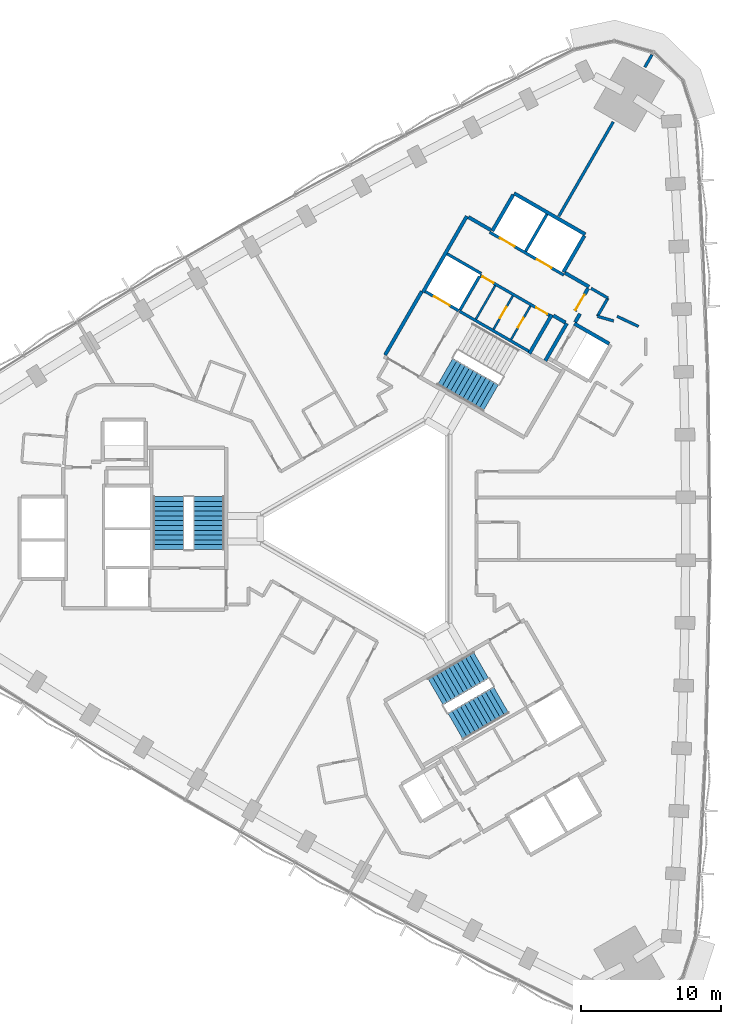
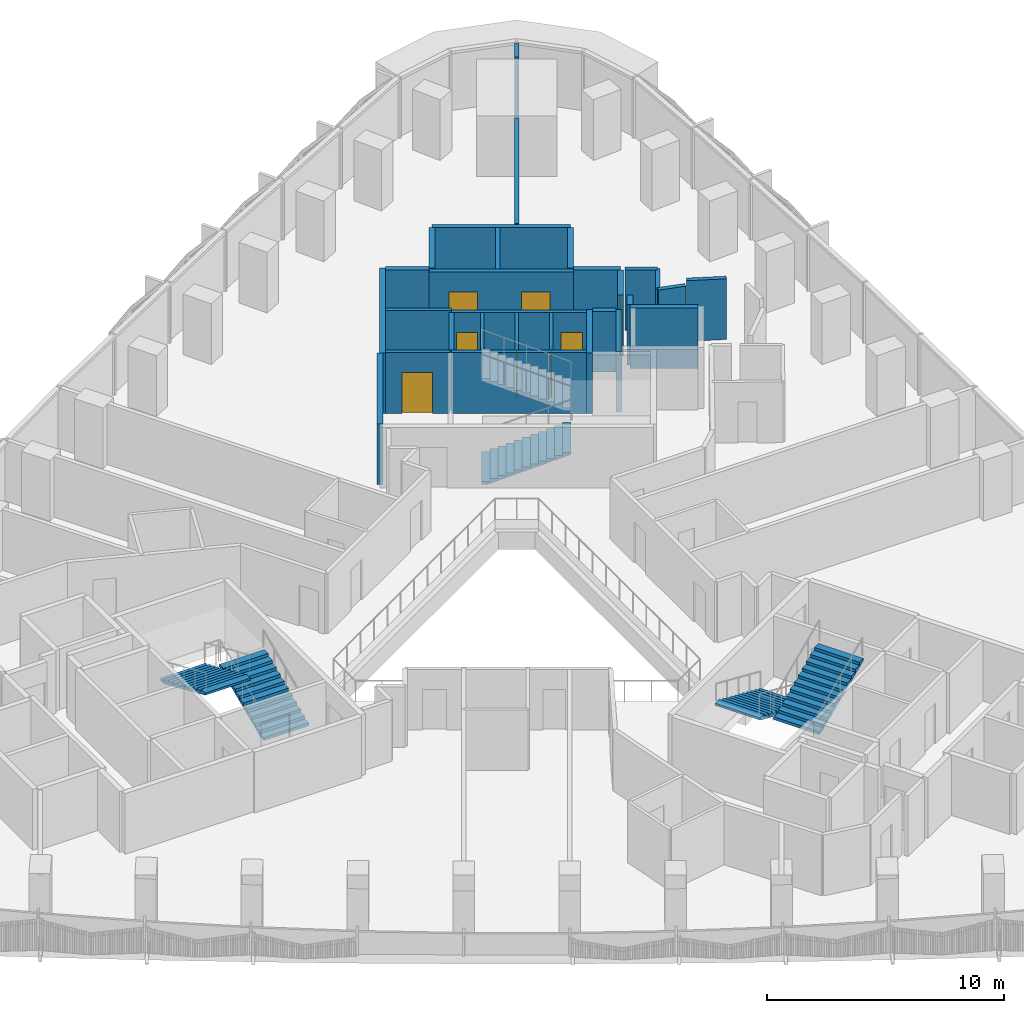
# One storey, part 11 of 15: 29 walls, 8 doors, 5 stair flights, 8 openings, 3 elements without a shape of their own.
"""IFC4 building model written with IfcOpenShell, lengths in metres."""

from ifc_helpers import new_model, si_unit, direction, frame, frame_2d, origin, place, context, subcontext, project, spatial, polyline, rectangle, outline, extrude, material, layer, layer_set, type_object, element, fill, aggregate, save


model = new_model("IFC4")

# Units and contexts
model_context = context("Model", 3, precision=1e-05, world=origin(), true_north=direction((0.0, 1.0)))
body_context = subcontext(model_context, "Body", "Model", "MODEL_VIEW")
ifc_project = project(units=[si_unit("LENGTHUNIT", "METRE"), si_unit("AREAUNIT", "SQUARE_METRE"), si_unit("VOLUMEUNIT", "CUBIC_METRE"), si_unit("PLANEANGLEUNIT", "RADIAN"), si_unit("MASSUNIT", "GRAM", prefix="KILO")], contexts=[model_context])

# Site, building, storey
site_placement = place(None, origin())
site = spatial("IfcSite", under=ifc_project, at=site_placement, CompositionType="ELEMENT")
building_placement = place(site_placement, origin())
building = spatial("IfcBuilding", under=site, at=building_placement, Name="Tamra Quay Hotel Tower", CompositionType="ELEMENT")
storey_placement = place(building_placement, frame((0.0, 0.0, 42.199951171875)))
storey = spatial("IfcBuildingStorey", under=building, at=storey_placement, Name="L08", CompositionType="ELEMENT", Elevation=42.199951171875)

# Wall, openings, doors
ifc_material_1 = material(Name="Concrete M70", Category="concrete")
ifc_layer_1 = layer(ifc_material_1, 0.199951171875)
ifc_layer_set_1 = layer_set([ifc_layer_1], Name="Concrete M70 core wall 200")
wall_type_1 = type_object("IfcWallType", Name="Concrete M70 core wall 200", PredefinedType="SHEAR", material=ifc_layer_set_1)
wall_1_placement = place(storey_placement, frame((13.209716796875, 18.07958984375, 0.0), z_axis=(0.0, 0.0, 1.0), x_axis=(-0.866030299012, 0.499991521122, 0.0)))
wall_1 = element("IfcWall", 1, at=wall_1_placement, inside=storey, type_object=wall_type_1, Name="CW2", PredefinedType="SHEAR", context=body_context, shape_type="SweptSolid", body=[
    extrude(rectangle(XDim=6.10009765625, YDim=0.199951171875, at=frame_2d((3.050048828125, 0.0))), origin(), (0.0, 0.0, 1.0), 3.125),
])
opening_1_placement = place(wall_1_placement, frame((1.0, 0.0, 0.0)))
opening_1 = element("IfcOpeningElement", 2, at=opening_1_placement, cuts=wall_1, Name="Opening LD", PredefinedType="OPENING", context=body_context, shape_type="SweptSolid", body=[
    extrude(rectangle(XDim=1.199951171875, YDim=2.10009765625, at=frame_2d((0.60009765625, 1.050048828125))), frame((0.0, 0.10986328125, 0.0), z_axis=(0.0, -1.0, 0.0), x_axis=(1.0, 0.0, 0.0)), (0.0, 0.0, 1.0), 0.219970703125),
])
opening_2_placement = place(wall_1_placement, frame((4.05029296875, 0.0, 0.0)))
opening_2 = element("IfcOpeningElement", 3, at=opening_2_placement, cuts=wall_1, Name="Opening LD", PredefinedType="OPENING", context=body_context, shape_type="SweptSolid", body=[
    extrude(rectangle(XDim=1.199951171875, YDim=2.10009765625, at=frame_2d((0.60009765625, 1.050048828125))), frame((0.0, 0.10986328125, 0.0), z_axis=(0.0, -1.0, 0.0), x_axis=(1.0, 0.0, 0.0)), (0.0, 0.0, 1.0), 0.219970703125),
])
ifc_material_2 = material(Name="Landing door LD 1200 double door sliding")
door_type_1 = type_object("IfcDoorType", Name="Landing door LD 1200 double door sliding", OperationType="DOUBLE_DOOR_SLIDING", PredefinedType="DOOR", material=ifc_material_2)
door_1_placement = place(opening_1_placement, origin())
door_1 = element("IfcDoor", 4, at=door_1_placement, inside=storey, type_object=door_type_1, Name="LD", OperationType="DOUBLE_DOOR_SLIDING", OverallHeight=2.10009765625, OverallWidth=1.199951171875, PredefinedType="DOOR", context=body_context, shape_type="SweptSolid", body=[
    extrude(rectangle(XDim=1.199951171875, YDim=2.10009765625, at=frame_2d((0.60009765625, 1.050048828125))), frame((0.0, 0.02490234375, 0.0), z_axis=(0.0, -1.0, 0.0), x_axis=(1.0, 0.0, 0.0)), (0.0, 0.0, 1.0), 0.050048828125),
])
fill(opening_1, door_1)
door_2_placement = place(opening_2_placement, origin())
door_2 = element("IfcDoor", 5, at=door_2_placement, inside=storey, type_object=door_type_1, Name="LD", OperationType="DOUBLE_DOOR_SLIDING", OverallHeight=2.10009765625, OverallWidth=1.199951171875, PredefinedType="DOOR", context=body_context, shape_type="SweptSolid", body=[
    extrude(rectangle(XDim=1.199951171875, YDim=2.10009765625, at=frame_2d((0.60009765625, 1.050048828125))), frame((0.0, 0.02490234375, 0.0), z_axis=(0.0, -1.0, 0.0), x_axis=(1.0, 0.0, 0.0)), (0.0, 0.0, 1.0), 0.050048828125),
])
fill(opening_2, door_2)

# Wall
wall_2_placement = place(storey_placement, frame((5.774658203125, 15.501953125, 0.0), z_axis=(0.0, 0.0, 1.0), x_axis=(0.866020080793, -0.500009219579, 0.0)))
element("IfcWall", 6, at=wall_2_placement, inside=storey, type_object=wall_type_1, Name="CW2", PredefinedType="SHEAR", context=body_context, shape_type="SweptSolid", body=[
    extrude(rectangle(XDim=5.69921875, YDim=0.199951171875, at=frame_2d((2.849609375, 0.0))), origin(), (0.0, 0.0, 1.0), 3.125),
])

# Wall, openings, doors
wall_3_placement = place(storey_placement, frame((12.18505859375, 15.20703125, 0.0), z_axis=(0.0, 0.0, 1.0), x_axis=(-0.866020080793, 0.500009219579, 0.0)))
wall_3 = element("IfcWall", 7, at=wall_3_placement, inside=storey, type_object=wall_type_1, Name="CW2", PredefinedType="SHEAR", context=body_context, shape_type="SweptSolid", body=[
    extrude(rectangle(XDim=5.69921875, YDim=0.199951171875, at=frame_2d((2.849609375, 0.0))), origin(), (0.0, 0.0, 1.0), 3.125),
])
opening_3_placement = place(wall_3_placement, frame((0.174072265625, 0.0, 0.0)))
opening_3 = element("IfcOpeningElement", 8, at=opening_3_placement, cuts=wall_3, Name="Opening D2", PredefinedType="OPENING", context=body_context, shape_type="SweptSolid", body=[
    extrude(rectangle(XDim=0.89990234375, YDim=2.10009765625, at=frame_2d((0.449951171875, 1.050048828125))), frame((0.0, 0.10986328125, 0.0), z_axis=(0.0, -1.0, 0.0), x_axis=(1.0, 0.0, 0.0)), (0.0, 0.0, 1.0), 0.219970703125),
])
opening_4_placement = place(wall_3_placement, frame((4.59912109375, 0.0, 0.0)))
opening_4 = element("IfcOpeningElement", 9, at=opening_4_placement, cuts=wall_3, Name="Opening D2", PredefinedType="OPENING", context=body_context, shape_type="SweptSolid", body=[
    extrude(rectangle(XDim=0.89990234375, YDim=2.10009765625, at=frame_2d((0.449951171875, 1.050048828125))), frame((0.0, 0.10986328125, 0.0), z_axis=(0.0, -1.0, 0.0), x_axis=(1.0, 0.0, 0.0)), (0.0, 0.0, 1.0), 0.219970703125),
])
ifc_material_3 = material(Name="Core door D2 900x2100 LH")
door_type_2 = type_object("IfcDoorType", Name="Core door D2 900x2100 LH", OperationType="NOTDEFINED", PredefinedType="DOOR", material=ifc_material_3)
door_3_placement = place(opening_4_placement, origin())
door_3 = element("IfcDoor", 10, at=door_3_placement, inside=storey, type_object=door_type_2, Name="D2", OperationType="SINGLE_SWING_LEFT", OverallHeight=2.10009765625, OverallWidth=0.89990234375, PredefinedType="DOOR", context=body_context, shape_type="SweptSolid", body=[
    extrude(rectangle(XDim=0.89990234375, YDim=2.10009765625, at=frame_2d((0.449951171875, 1.050048828125))), frame((0.0, 0.02490234375, 0.0), z_axis=(0.0, -1.0, 0.0), x_axis=(1.0, 0.0, 0.0)), (0.0, 0.0, 1.0), 0.050048828125),
])
fill(opening_4, door_3)
ifc_material_4 = material(Name="Core door D2 900x2100 RH")
door_type_3 = type_object("IfcDoorType", Name="Core door D2 900x2100 RH", OperationType="NOTDEFINED", PredefinedType="DOOR", material=ifc_material_4)
door_4_placement = place(opening_3_placement, origin())
door_4 = element("IfcDoor", 11, at=door_4_placement, inside=storey, type_object=door_type_3, Name="D2", OperationType="SINGLE_SWING_RIGHT", OverallHeight=2.10009765625, OverallWidth=0.89990234375, PredefinedType="DOOR", context=body_context, shape_type="SweptSolid", body=[
    extrude(rectangle(XDim=0.89990234375, YDim=2.10009765625, at=frame_2d((0.449951171875, 1.050048828125))), frame((0.0, 0.02490234375, 0.0), z_axis=(0.0, -1.0, 0.0), x_axis=(1.0, 0.0, 0.0)), (0.0, 0.0, 1.0), 0.050048828125),
])
fill(opening_3, door_4)

# Walls
wall_4_placement = place(storey_placement, frame((10.48876953125, 19.76708984375, 0.0), z_axis=(0.0, 0.0, 1.0), x_axis=(0.499946628782, 0.866056215479, 0.0)))
element("IfcWall", 12, at=wall_4_placement, inside=storey, type_object=wall_type_1, Name="CW2", PredefinedType="SHEAR", context=body_context, shape_type="SweptSolid", body=[
    extrude(rectangle(XDim=3.048095703125, YDim=0.199951171875, at=frame_2d((1.52392578125, 0.0))), origin(), (0.0, 0.0, 1.0), 3.125),
])
wall_5_placement = place(storey_placement, frame((7.199462890625, 17.969970703125, 0.0), z_axis=(0.0, 0.0, 1.0), x_axis=(-0.499968400327, -0.866043647095, 0.0)))
element("IfcWall", 13, at=wall_5_placement, inside=storey, type_object=wall_type_1, Name="CW2", PredefinedType="SHEAR", context=body_context, shape_type="SweptSolid", body=[
    extrude(rectangle(XDim=2.749755859375, YDim=0.199951171875, at=frame_2d((1.375, 0.0))), origin(), (0.0, 0.0, 1.0), 3.125),
])

# Wall, opening, door
wall_6_placement = place(storey_placement, frame((5.72509765625, 15.530517578125, 0.0), z_axis=(0.0, 0.0, 1.0), x_axis=(-0.866037306777, 0.499979382845, 0.0)))
wall_6 = element("IfcWall", 14, at=wall_6_placement, inside=storey, type_object=wall_type_1, Name="CW2", PredefinedType="SHEAR", context=body_context, shape_type="SweptSolid", body=[
    extrude(rectangle(XDim=2.74169921875, YDim=0.199951171875, at=frame_2d((1.370849609375, 0.0))), origin(), (0.0, 0.0, 1.0), 3.125),
])
opening_5_placement = place(wall_6_placement, frame((0.742919921875, 0.0, 0.0)))
opening_5 = element("IfcOpeningElement", 15, at=opening_5_placement, cuts=wall_6, Name="Opening LD", PredefinedType="OPENING", context=body_context, shape_type="SweptSolid", body=[
    extrude(rectangle(XDim=1.300048828125, YDim=2.10009765625, at=frame_2d((0.64990234375, 1.050048828125))), frame((0.0, 0.10986328125, 0.0), z_axis=(0.0, -1.0, 0.0), x_axis=(1.0, 0.0, 0.0)), (0.0, 0.0, 1.0), 0.219970703125),
])
ifc_material_5 = material(Name="Landing door LD 1300 sliding to left")
door_type_4 = type_object("IfcDoorType", Name="Landing door LD 1300 sliding to left", OperationType="NOTDEFINED", PredefinedType="DOOR", material=ifc_material_5)
door_5_placement = place(opening_5_placement, origin())
door_5 = element("IfcDoor", 16, at=door_5_placement, inside=storey, type_object=door_type_4, Name="LD", OperationType="SLIDING_TO_LEFT", OverallHeight=2.10009765625, OverallWidth=1.300048828125, PredefinedType="DOOR", context=body_context, shape_type="SweptSolid", body=[
    extrude(rectangle(XDim=1.300048828125, YDim=2.10009765625, at=frame_2d((0.64990234375, 1.050048828125))), frame((0.0, 0.02490234375, 0.0), z_axis=(0.0, -1.0, 0.0), x_axis=(1.0, 0.0, 0.0)), (0.0, 0.0, 1.0), 0.050048828125),
])
fill(opening_5, door_5)

# Walls
wall_7_placement = place(storey_placement, frame((4.900634765625, 19.5859375, 0.0), z_axis=(0.0, 0.0, 1.0), x_axis=(0.866022890907, -0.500004352405, 0.0)))
element("IfcWall", 17, at=wall_7_placement, inside=storey, type_object=wall_type_1, Name="CW2", PredefinedType="SHEAR", context=body_context, shape_type="SweptSolid", body=[
    extrude(rectangle(XDim=2.798828125, YDim=0.199951171875, at=frame_2d((1.3994140625, 0.0))), origin(), (0.0, 0.0, 1.0), 3.125),
])
ifc_layer_2 = layer(ifc_material_1, 0.25)
ifc_layer_set_2 = layer_set([ifc_layer_2], Name="Concrete M70 core wall 250")
wall_type_2 = type_object("IfcWallType", Name="Concrete M70 core wall 250", PredefinedType="SHEAR", material=ifc_layer_set_2)
wall_8_placement = place(storey_placement, frame((3.178955078125, 16.856201171875, 0.0), z_axis=(0.0, 0.0, 1.0), x_axis=(0.500004234368, 0.866022959057, 0.0)))
element("IfcWall", 18, at=wall_8_placement, inside=storey, type_object=wall_type_2, Name="CW1", PredefinedType="SHEAR", context=body_context, shape_type="SweptSolid", body=[
    extrude(rectangle(XDim=6.25, YDim=0.25, at=frame_2d((3.125, 0.0))), origin(), (0.0, 0.0, 1.0), 3.125),
])
wall_9_placement = place(storey_placement, frame((9.672607421875, 23.9033203125, 0.0), z_axis=(0.0, 0.0, 1.0), x_axis=(0.86603616409, -0.499981362141, 0.0)))
element("IfcWall", 19, at=wall_9_placement, inside=storey, type_object=wall_type_2, Name="CW1", PredefinedType="SHEAR", context=body_context, shape_type="SweptSolid", body=[
    extrude(rectangle(XDim=5.849853515625, YDim=0.25, at=frame_2d((2.9248046875, 0.0))), origin(), (0.0, 0.0, 1.0), 3.125),
])
wall_10_placement = place(storey_placement, frame((0.47998046875, 12.38134765625, 0.0), z_axis=(0.0, 0.0, 1.0), x_axis=(0.49999885962, 0.866026062182, 0.0)))
element("IfcWall", 20, at=wall_10_placement, inside=storey, type_object=wall_type_2, Name="CW1", PredefinedType="SHEAR", context=body_context, shape_type="SweptSolid", body=[
    extrude(rectangle(XDim=5.224609375, YDim=0.25, at=frame_2d((2.6123046875, 0.0))), origin(), (0.0, 0.0, 1.0), 3.125),
])
wall_11_placement = place(storey_placement, frame((12.356689453125, 15.25244140625, 0.0), z_axis=(0.0, 0.0, 1.0), x_axis=(-0.500028443584, -0.866008981251, 0.0)))
element("IfcWall", 21, at=wall_11_placement, inside=storey, type_object=wall_type_2, Name="CW1", PredefinedType="SHEAR", context=body_context, shape_type="SweptSolid", body=[
    extrude(rectangle(XDim=3.199951171875, YDim=0.25, at=frame_2d((1.60009765625, 0.0))), origin(), (0.0, 0.0, 1.0), 3.125),
])
for number, where, z_axis, x_axis, name in (
    (22, (8.12255859375, 21.21875, 0.0), (0.0, 0.0, 1.0), (0.499987686533, 0.866032512851, 0.0), "CW1"),
    (23, (14.67626953125, 20.869873046875, 0.0), (0.0, 0.0, 1.0), (-0.499987686533, -0.866032512851, 0.0), "CW1"),
):
    element("IfcWall", number, at=place(storey_placement, frame(where, z_axis=z_axis, x_axis=x_axis)), inside=storey, type_object=wall_type_2, Name=name, PredefinedType="SHEAR", context=body_context, shape_type="SweptSolid", body=[
        extrude(rectangle(XDim=2.974609375, YDim=0.25, at=frame_2d((1.4873046875, 0.0))), origin(), (0.0, 0.0, 1.0), 3.125),
    ])
wall_12_placement = place(storey_placement, frame((13.962646484375, 14.61376953125, 0.0), z_axis=(0.0, 0.0, 1.0), x_axis=(0.866042235819, -0.499970844928, 0.0)))
element("IfcWall", 24, at=wall_12_placement, inside=storey, type_object=wall_type_2, Name="CW1", PredefinedType="SHEAR", context=body_context, shape_type="SweptSolid", body=[
    extrude(rectangle(XDim=2.864501953125, YDim=0.25, at=frame_2d((1.43212890625, 0.0))), origin(), (0.0, 0.0, 1.0), 3.125),
])
wall_13_placement = place(storey_placement, frame((11.887939453125, 11.960693359375, 0.0), z_axis=(0.0, 0.0, 1.0), x_axis=(0.500003324108, 0.866023484601, 0.0)))
element("IfcWall", 25, at=wall_13_placement, inside=storey, type_object=wall_type_2, Name="CW1", PredefinedType="SHEAR", context=body_context, shape_type="SweptSolid", body=[
    extrude(rectangle(XDim=3.0849609375, YDim=0.25, at=frame_2d((1.54248046875, 0.0))), origin(), (0.0, 0.0, 1.0), 3.125),
])
wall_14_placement = place(storey_placement, frame((13.29736328125, 18.23095703125, 0.0), z_axis=(0.0, 0.0, 1.0), x_axis=(0.866043531843, -0.499968599967, 0.0)))
element("IfcWall", 26, at=wall_14_placement, inside=storey, type_object=wall_type_2, Name="CW1", PredefinedType="SHEAR", context=body_context, shape_type="SweptSolid", body=[
    extrude(rectangle(XDim=1.974853515625, YDim=0.25, at=frame_2d((0.9873046875, 0.0))), origin(), (0.0, 0.0, 1.0), 3.125),
])
wall_15_placement = place(storey_placement, frame((6.41259765625, 22.2060546875, 0.0), z_axis=(0.0, 0.0, 1.0), x_axis=(0.866016279763, -0.500015802937, 0.0)))
element("IfcWall", 27, at=wall_15_placement, inside=storey, type_object=wall_type_2, Name="CW1", PredefinedType="SHEAR", context=body_context, shape_type="SweptSolid", body=[
    extrude(rectangle(XDim=1.84912109375, YDim=0.25, at=frame_2d((0.924560546875, 0.0))), origin(), (0.0, 0.0, 1.0), 3.125),
])

# Wall, opening, door
wall_16_placement = place(storey_placement, frame((14.94482421875, 17.13525390625, 0.0), z_axis=(0.0, 0.0, 1.0), x_axis=(-0.499983108224, -0.866035156036, 0.0)))
wall_16 = element("IfcWall", 28, at=wall_16_placement, inside=storey, type_object=wall_type_2, Name="CW1", PredefinedType="SHEAR", context=body_context, shape_type="SweptSolid", body=[
    extrude(rectangle(XDim=1.86474609375, YDim=0.25, at=frame_2d((0.932373046875, 0.0))), origin(), (0.0, 0.0, 1.0), 3.125),
])
opening_6_placement = place(wall_16_placement, frame((0.53466796875, 0.0, 0.0)))
opening_6 = element("IfcOpeningElement", 29, at=opening_6_placement, cuts=wall_16, Name="Opening FD3", PredefinedType="OPENING", context=body_context, shape_type="SweptSolid", body=[
    extrude(rectangle(XDim=1.25, YDim=2.10009765625, at=frame_2d((0.625, 1.050048828125))), frame((0.0, 0.135009765625, 0.0), z_axis=(0.0, -1.0, 0.0), x_axis=(1.0, 0.0, 0.0)), (0.0, 0.0, 1.0), 0.27001953125),
])
ifc_material_6 = material(Name="Core door FD3 1250x2100 LH")
door_type_5 = type_object("IfcDoorType", Name="Core door FD3 1250x2100 LH", OperationType="NOTDEFINED", PredefinedType="DOOR", material=ifc_material_6)
door_6_placement = place(opening_6_placement, origin())
door_6 = element("IfcDoor", 30, at=door_6_placement, inside=storey, type_object=door_type_5, Name="FD3", OperationType="SINGLE_SWING_LEFT", OverallHeight=2.10009765625, OverallWidth=1.25, PredefinedType="DOOR", context=body_context, shape_type="SweptSolid", body=[
    extrude(rectangle(XDim=1.25, YDim=2.10009765625, at=frame_2d((0.625, 1.050048828125))), frame((0.0, 0.02490234375, 0.0), z_axis=(0.0, -1.0, 0.0), x_axis=(1.0, 0.0, 0.0)), (0.0, 0.0, 1.0), 0.050048828125),
])
fill(opening_6, door_6)

# Walls
wall_17_placement = place(storey_placement, frame((13.322021484375, 14.695068359375, 0.0), z_axis=(0.0, 0.0, 1.0), x_axis=(-0.866017078145, 0.500014420154, 0.0)))
element("IfcWall", 31, at=wall_17_placement, inside=storey, type_object=wall_type_2, Name="CW1", PredefinedType="SHEAR", context=body_context, shape_type="SweptSolid", body=[
    extrude(rectangle(XDim=0.9892578125, YDim=0.25, at=frame_2d((0.49462890625, 0.0))), origin(), (0.0, 0.0, 1.0), 3.125),
])
wall_18_placement = place(storey_placement, frame((14.36767578125, 15.3154296875, 0.0), z_axis=(0.0, 0.0, 1.0), x_axis=(-0.499897359611, -0.866084655132, 0.0)))
element("IfcWall", 32, at=wall_18_placement, inside=storey, type_object=wall_type_2, Name="CW1", PredefinedType="SHEAR", context=body_context, shape_type="SweptSolid", body=[
    extrude(rectangle(XDim=0.684814453125, YDim=0.25, at=frame_2d((0.34228515625, 0.0))), origin(), (0.0, 0.0, 1.0), 3.125),
])

# Wall, opening, door
ifc_material_7 = material(Name="Blockwork", Category="masonry")
ifc_layer_3 = layer(ifc_material_7, 0.14990234375)
ifc_layer_set_3 = layer_set([ifc_layer_3], Name="Core partition block 150")
wall_type_3 = type_object("IfcWallType", Name="Core partition block 150", PredefinedType="PARTITIONING", material=ifc_layer_set_3)
wall_19_placement = place(storey_placement, frame((9.462158203125, 13.4892578125, 0.0), z_axis=(0.0, 0.0, 1.0), x_axis=(0.50002746344, 0.86600954718, 0.0)))
wall_19 = element("IfcWall", 33, at=wall_19_placement, inside=storey, type_object=wall_type_3, Name="CP1", PredefinedType="PARTITIONING", context=body_context, shape_type="SweptSolid", body=[
    extrude(rectangle(XDim=2.748291015625, YDim=0.14990234375, at=frame_2d((1.3740234375, 0.0))), origin(), (0.0, 0.0, 1.0), 3.125),
])
opening_7_placement = place(wall_19_placement, frame((0.97412109375, 0.0, 0.0)))
opening_7 = element("IfcOpeningElement", 34, at=opening_7_placement, cuts=wall_19, Name="Opening D3", PredefinedType="OPENING", context=body_context, shape_type="SweptSolid", body=[
    extrude(rectangle(XDim=0.800048828125, YDim=2.10009765625, at=frame_2d((0.39990234375, 1.050048828125))), frame((0.0, 0.0849609375, 0.0), z_axis=(0.0, -1.0, 0.0), x_axis=(1.0, 0.0, 0.0)), (0.0, 0.0, 1.0), 0.169921875),
])
ifc_material_8 = material(Name="Core door D3 800x2100 LH")
door_type_6 = type_object("IfcDoorType", Name="Core door D3 800x2100 LH", OperationType="NOTDEFINED", PredefinedType="DOOR", material=ifc_material_8)
door_7_placement = place(opening_7_placement, origin())
door_7 = element("IfcDoor", 35, at=door_7_placement, inside=storey, type_object=door_type_6, Name="D3", OperationType="SINGLE_SWING_LEFT", OverallHeight=2.10009765625, OverallWidth=0.800048828125, PredefinedType="DOOR", context=body_context, shape_type="SweptSolid", body=[
    extrude(rectangle(XDim=0.800048828125, YDim=2.10009765625, at=frame_2d((0.39990234375, 1.050048828125))), frame((0.0, 0.02490234375, 0.0), z_axis=(0.0, -1.0, 0.0), x_axis=(1.0, 0.0, 0.0)), (0.0, 0.0, 1.0), 0.050048828125),
])
fill(opening_7, door_7)

wall_20_placement = place(storey_placement, frame((8.20654296875, 14.214111328125, 0.0), z_axis=(0.0, 0.0, 1.0), x_axis=(0.499922376475, 0.866070215109, 0.0)))
wall_20 = element("IfcWall", 36, at=wall_20_placement, inside=storey, type_object=wall_type_3, Name="CP1", PredefinedType="PARTITIONING", context=body_context, shape_type="SweptSolid", body=[
    extrude(rectangle(XDim=2.74853515625, YDim=0.14990234375, at=frame_2d((1.374267578125, 0.0))), origin(), (0.0, 0.0, 1.0), 3.125),
])
opening_8_placement = place(wall_20_placement, frame((0.92431640625, 0.0, 0.0)))
opening_8 = element("IfcOpeningElement", 37, at=opening_8_placement, cuts=wall_20, Name="Opening D2", PredefinedType="OPENING", context=body_context, shape_type="SweptSolid", body=[
    extrude(rectangle(XDim=0.89990234375, YDim=2.10009765625, at=frame_2d((0.449951171875, 1.050048828125))), frame((0.0, 0.0849609375, 0.0), z_axis=(0.0, -1.0, 0.0), x_axis=(1.0, 0.0, 0.0)), (0.0, 0.0, 1.0), 0.169921875),
])
door_8_placement = place(opening_8_placement, origin())
door_8 = element("IfcDoor", 38, at=door_8_placement, inside=storey, type_object=door_type_3, Name="D2", OperationType="SINGLE_SWING_RIGHT", OverallHeight=2.10009765625, OverallWidth=0.89990234375, PredefinedType="DOOR", context=body_context, shape_type="SweptSolid", body=[
    extrude(rectangle(XDim=0.89990234375, YDim=2.10009765625, at=frame_2d((0.449951171875, 1.050048828125))), frame((0.0, 0.02490234375, 0.0), z_axis=(0.0, -1.0, 0.0), x_axis=(1.0, 0.0, 0.0)), (0.0, 0.0, 1.0), 0.050048828125),
])
fill(opening_8, door_8)

# Walls
wall_21_placement = place(storey_placement, frame((6.95068359375, 14.939208984375, 0.0), z_axis=(0.0, 0.0, 1.0), x_axis=(0.50002746344, 0.86600954718, 0.0)))
element("IfcWall", 39, at=wall_21_placement, inside=storey, type_object=wall_type_3, Name="CP1", PredefinedType="PARTITIONING", context=body_context, shape_type="SweptSolid", body=[
    extrude(rectangle(XDim=2.748291015625, YDim=0.14990234375, at=frame_2d((1.3740234375, 0.0))), origin(), (0.0, 0.0, 1.0), 3.125),
])
ifc_material_9 = material(Name="Partition corridor wall")
ifc_layer_4 = layer(ifc_material_9, 0.199951171875)
ifc_layer_set_4 = layer_set([ifc_layer_4], Name="Partition corridor wall")
wall_type_4 = type_object("IfcWallType", Name="Partition corridor wall", PredefinedType="PARTITIONING", material=ifc_layer_set_4)
wall_22_placement = place(storey_placement, frame((15.155517578125, 17.130126953125, 0.0), z_axis=(0.0, 0.0, 1.0), x_axis=(0.865755062894, -0.500467952093, 0.0)))
element("IfcWall", 40, at=wall_22_placement, inside=storey, type_object=wall_type_4, Name="W-C", PredefinedType="PARTITIONING", context=body_context, shape_type="SweptSolid", body=[
    extrude(rectangle(XDim=1.388916015625, YDim=0.199951171875, at=frame_2d((0.6943359375, 0.0))), origin(), (0.0, 0.0, 1.0), 3.125),
])
wall_23_placement = place(storey_placement, frame((15.60888671875, 15.135986328125, 0.0), z_axis=(0.0, 0.0, 1.0), x_axis=(0.499501622561, 0.866312950993, 0.0)))
element("IfcWall", 41, at=wall_23_placement, inside=storey, type_object=wall_type_4, Name="W-C", PredefinedType="PARTITIONING", context=body_context, shape_type="SweptSolid", body=[
    extrude(rectangle(XDim=1.49951171875, YDim=0.199951171875, at=frame_2d((0.749755859375, 0.0))), origin(), (0.0, 0.0, 1.0), 3.125),
])
wall_24_placement = place(storey_placement, frame((15.60888671875, 15.135986328125, 0.0), z_axis=(0.0, 0.0, 1.0), x_axis=(0.961662011825, -0.274237442763, 0.0)))
element("IfcWall", 42, at=wall_24_placement, inside=storey, type_object=wall_type_4, Name="W-C", PredefinedType="PARTITIONING", context=body_context, shape_type="SweptSolid", body=[
    extrude(rectangle(XDim=1.199951171875, YDim=0.199951171875, at=frame_2d((0.60009765625, 0.0))), origin(), (0.0, 0.0, 1.0), 3.125),
])
wall_25_placement = place(storey_placement, frame((17.009033203125, 15.134033203125, 0.0), z_axis=(0.0, 0.0, 1.0), x_axis=(0.904158632931, -0.427196870887, 0.0)))
element("IfcWall", 43, at=wall_25_placement, inside=storey, type_object=wall_type_4, Name="W-C", PredefinedType="PARTITIONING", context=body_context, shape_type="SweptSolid", body=[
    extrude(rectangle(XDim=1.687744140625, YDim=0.199951171875, at=frame_2d((0.84375, 0.0))), origin(), (0.0, 0.0, 1.0), 3.125),
])
ifc_material_10 = material(Name="Partition party wall")
ifc_layer_5 = layer(ifc_material_10, 0.199951171875)
ifc_layer_set_5 = layer_set([ifc_layer_5], Name="Partition party wall")
wall_type_5 = type_object("IfcWallType", Name="Partition party wall", PredefinedType="PARTITIONING", material=ifc_layer_set_5)
wall_26_placement = place(storey_placement, frame((12.861083984375, 22.276123046875, 0.0), z_axis=(0.0, 0.0, 1.0), x_axis=(0.499864184076, 0.866103802946, 0.0)))
element("IfcWall", 44, at=wall_26_placement, inside=storey, type_object=wall_type_5, Name="W-P", PredefinedType="PARTITIONING", context=body_context, shape_type="SweptSolid", body=[
    extrude(rectangle(XDim=7.754150390625, YDim=0.199951171875, at=frame_2d((3.876953125, 0.0))), origin(), (0.0, 0.0, 1.0), 3.125),
])
wall_27_placement = place(storey_placement, frame((18.987548828125, 32.891845703125, 0.0), z_axis=(0.0, 0.0, 1.0), x_axis=(0.500041382571, 0.866001510228, 0.0)))
element("IfcWall", 45, at=wall_27_placement, inside=storey, type_object=wall_type_5, Name="W-P", PredefinedType="PARTITIONING", context=body_context, shape_type="SweptSolid", body=[
    extrude(rectangle(XDim=1.01611328125, YDim=0.199951171875, at=frame_2d((0.508056640625, 0.0))), origin(), (0.0, 0.0, 1.0), 3.125),
])

# Stair, stair flights
ifc_material_11 = material(Name="Exit stair 2200 24 risers 150.0 going 342")
stair_type = type_object("IfcStairType", Name="Exit stair 2200 24 risers 150.0 going 342", PredefinedType="HALF_TURN_STAIR", material=ifc_material_11)
stair_1_placement = place(storey_placement, origin())
stair_1 = element("IfcStair", 46, at=stair_1_placement, inside=storey, type_object=stair_type, Name="L08 Exit stair ST3", PredefinedType="HALF_TURN_STAIR")
ifc_material_12 = material(Name="Exit stair flight 2200 12 risers 150.0")
stair_flight_type = type_object("IfcStairFlightType", Name="Exit stair flight 2200 12 risers 150.0", PredefinedType="STRAIGHT", material=ifc_material_12)
stair_flight_1_placement = place(storey_placement, frame((-12.082275390625, -1.47998046875, 0.0), z_axis=(0.0, 0.0, 1.0), x_axis=(0.0, 1.0, 0.0)))
stair_flight_1 = element("IfcStairFlight", 47, at=stair_flight_1_placement, type_object=stair_flight_type, Name="ST3 flight 1", NumberOfRisers=12, NumberOfTreads=11, PredefinedType="STRAIGHT", RiserHeight=0.15, TreadLength=0.342, context=body_context, shape_type="SweptSolid", body=[
    extrude(outline(polyline([(0.0, 0.0), (0.0, 0.14990234375), (0.342041015625, 0.14990234375), (0.342041015625, 0.300048828125), (0.68408203125, 0.300048828125), (0.68408203125, 0.449951171875), (1.02587890625, 0.449951171875), (1.02587890625, 0.60009765625), (1.367919921875, 0.60009765625), (1.367919921875, 0.75), (1.7099609375, 0.75), (1.7099609375, 0.89990234375), (2.052001953125, 0.89990234375), (2.052001953125, 1.050048828125), (2.39404296875, 1.050048828125), (2.39404296875, 1.199951171875), (2.736083984375, 1.199951171875), (2.736083984375, 1.35009765625), (3.077880859375, 1.35009765625), (3.077880859375, 1.5), (3.419921875, 1.5), (3.419921875, 1.64990234375), (3.761962890625, 1.64990234375), (3.761962890625, 1.800048828125), (3.761962890625, 1.540771484375), (0.249267578125, 0.0), (0.0, 0.0)])), frame((0.0, 1.10009765625, 0.0), z_axis=(0.0, -1.0, 0.0), x_axis=(1.0, 0.0, 0.0)), (0.0, 0.0, 1.0), 2.199951171875),
])
stair_flight_2_placement = place(storey_placement, frame((-14.94140625, 2.281982421875, 1.800048828125), z_axis=(0.0, 0.0, 1.0), x_axis=(0.0, -1.0, 0.0)))
stair_flight_2 = element("IfcStairFlight", 48, at=stair_flight_2_placement, type_object=stair_flight_type, Name="ST3 flight 2", NumberOfRisers=12, NumberOfTreads=11, PredefinedType="STRAIGHT", RiserHeight=0.15, TreadLength=0.342, context=body_context, shape_type="SweptSolid", body=[
    extrude(outline(polyline([(0.0, 0.0), (0.0, 0.14990234375), (0.342041015625, 0.14990234375), (0.342041015625, 0.300048828125), (0.68408203125, 0.300048828125), (0.68408203125, 0.449951171875), (1.02587890625, 0.449951171875), (1.02587890625, 0.60009765625), (1.367919921875, 0.60009765625), (1.367919921875, 0.75), (1.7099609375, 0.75), (1.7099609375, 0.89990234375), (2.052001953125, 0.89990234375), (2.052001953125, 1.050048828125), (2.39404296875, 1.050048828125), (2.39404296875, 1.199951171875), (2.736083984375, 1.199951171875), (2.736083984375, 1.35009765625), (3.077880859375, 1.35009765625), (3.077880859375, 1.5), (3.419921875, 1.5), (3.419921875, 1.64990234375), (3.761962890625, 1.64990234375), (3.761962890625, 1.800048828125), (3.761962890625, 1.540771484375), (0.249267578125, 0.0), (0.0, 0.0)])), frame((0.0, 1.10009765625, 0.0), z_axis=(0.0, -1.0, 0.0), x_axis=(1.0, 0.0, 0.0)), (0.0, 0.0, 1.0), 2.199951171875),
])
aggregate(stair_1, [stair_flight_1, stair_flight_2])

# Stair, stair flight
stair_2_placement = place(storey_placement, origin())
stair_2 = element("IfcStair", 49, at=stair_2_placement, inside=storey, type_object=stair_type, Name="L08 Exit stair ST1", PredefinedType="HALF_TURN_STAIR")
stair_flight_3_placement = place(storey_placement, frame((4.75927734375, 11.20361328125, 0.0), z_axis=(0.0, 0.0, 1.0), x_axis=(0.866025403784, -0.5, 0.0)))
stair_flight_3 = element("IfcStairFlight", 50, at=stair_flight_3_placement, type_object=stair_flight_type, Name="ST1 flight 1", NumberOfRisers=12, NumberOfTreads=11, PredefinedType="STRAIGHT", RiserHeight=0.15, TreadLength=0.342, context=body_context, shape_type="SweptSolid", body=[
    extrude(outline(polyline([(0.0, 0.0), (0.0, 0.14990234375), (0.342041015625, 0.14990234375), (0.342041015625, 0.300048828125), (0.68408203125, 0.300048828125), (0.68408203125, 0.449951171875), (1.02587890625, 0.449951171875), (1.02587890625, 0.60009765625), (1.367919921875, 0.60009765625), (1.367919921875, 0.75), (1.7099609375, 0.75), (1.7099609375, 0.89990234375), (2.052001953125, 0.89990234375), (2.052001953125, 1.050048828125), (2.39404296875, 1.050048828125), (2.39404296875, 1.199951171875), (2.736083984375, 1.199951171875), (2.736083984375, 1.35009765625), (3.077880859375, 1.35009765625), (3.077880859375, 1.5), (3.419921875, 1.5), (3.419921875, 1.64990234375), (3.761962890625, 1.64990234375), (3.761962890625, 1.800048828125), (3.761962890625, 1.540771484375), (0.249267578125, 0.0), (0.0, 0.0)])), frame((0.0, 1.10009765625, 0.0), z_axis=(0.0, -1.0, 0.0), x_axis=(1.0, 0.0, 0.0)), (0.0, 0.0, 1.0), 2.199951171875),
])
aggregate(stair_2, [stair_flight_3])

# Stair, stair flights
stair_3_placement = place(storey_placement, origin())
stair_3 = element("IfcStair", 51, at=stair_3_placement, inside=storey, type_object=stair_type, Name="L08 Exit stair ST2", PredefinedType="HALF_TURN_STAIR")
stair_flight_4_placement = place(storey_placement, frame((7.322998046875, -9.7236328125, 0.0), z_axis=(0.0, 0.0, 1.0), x_axis=(-0.866025403784, -0.5, 0.0)))
stair_flight_4 = element("IfcStairFlight", 52, at=stair_flight_4_placement, type_object=stair_flight_type, Name="ST2 flight 1", NumberOfRisers=12, NumberOfTreads=11, PredefinedType="STRAIGHT", RiserHeight=0.15, TreadLength=0.342, context=body_context, shape_type="SweptSolid", body=[
    extrude(outline(polyline([(0.0, 0.0), (0.0, 0.14990234375), (0.342041015625, 0.14990234375), (0.342041015625, 0.300048828125), (0.68408203125, 0.300048828125), (0.68408203125, 0.449951171875), (1.02587890625, 0.449951171875), (1.02587890625, 0.60009765625), (1.367919921875, 0.60009765625), (1.367919921875, 0.75), (1.7099609375, 0.75), (1.7099609375, 0.89990234375), (2.052001953125, 0.89990234375), (2.052001953125, 1.050048828125), (2.39404296875, 1.050048828125), (2.39404296875, 1.199951171875), (2.736083984375, 1.199951171875), (2.736083984375, 1.35009765625), (3.077880859375, 1.35009765625), (3.077880859375, 1.5), (3.419921875, 1.5), (3.419921875, 1.64990234375), (3.761962890625, 1.64990234375), (3.761962890625, 1.800048828125), (3.761962890625, 1.540771484375), (0.249267578125, 0.0), (0.0, 0.0)])), frame((0.0, 1.10009765625, 0.0), z_axis=(0.0, -1.0, 0.0), x_axis=(1.0, 0.0, 0.0)), (0.0, 0.0, 1.0), 2.199951171875),
])
stair_flight_5_placement = place(storey_placement, frame((5.494384765625, -14.08056640625, 1.800048828125), z_axis=(0.0, 0.0, 1.0), x_axis=(0.866025403784, 0.5, 0.0)))
stair_flight_5 = element("IfcStairFlight", 53, at=stair_flight_5_placement, type_object=stair_flight_type, Name="ST2 flight 2", NumberOfRisers=12, NumberOfTreads=11, PredefinedType="STRAIGHT", RiserHeight=0.15, TreadLength=0.342, context=body_context, shape_type="SweptSolid", body=[
    extrude(outline(polyline([(0.0, 0.0), (0.0, 0.14990234375), (0.342041015625, 0.14990234375), (0.342041015625, 0.300048828125), (0.68408203125, 0.300048828125), (0.68408203125, 0.449951171875), (1.02587890625, 0.449951171875), (1.02587890625, 0.60009765625), (1.367919921875, 0.60009765625), (1.367919921875, 0.75), (1.7099609375, 0.75), (1.7099609375, 0.89990234375), (2.052001953125, 0.89990234375), (2.052001953125, 1.050048828125), (2.39404296875, 1.050048828125), (2.39404296875, 1.199951171875), (2.736083984375, 1.199951171875), (2.736083984375, 1.35009765625), (3.077880859375, 1.35009765625), (3.077880859375, 1.5), (3.419921875, 1.5), (3.419921875, 1.64990234375), (3.761962890625, 1.64990234375), (3.761962890625, 1.800048828125), (3.761962890625, 1.540771484375), (0.249267578125, 0.0), (0.0, 0.0)])), frame((0.0, 1.10009765625, 0.0), z_axis=(0.0, -1.0, 0.0), x_axis=(1.0, 0.0, 0.0)), (0.0, 0.0, 1.0), 2.199951171875),
])
aggregate(stair_3, [stair_flight_4, stair_flight_5])

save(model, "model.ifc")
